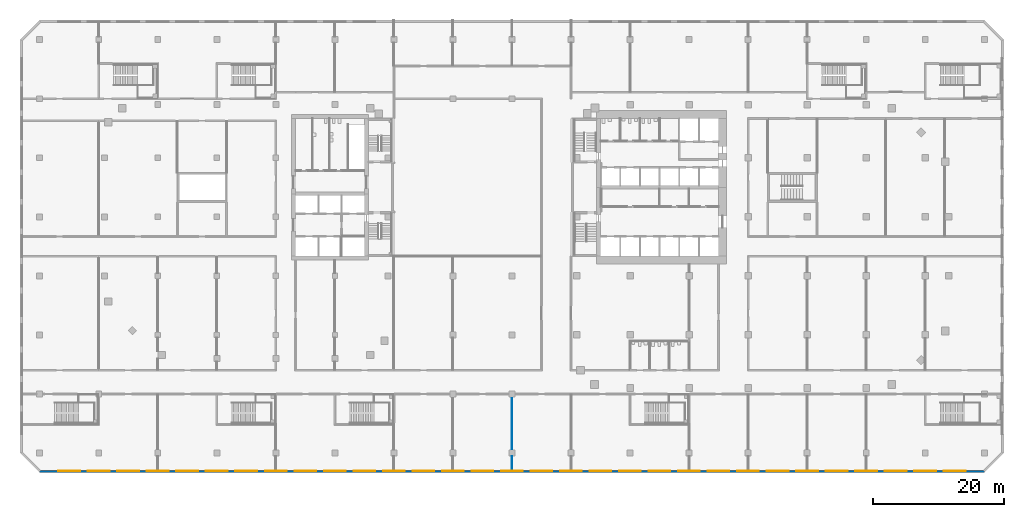
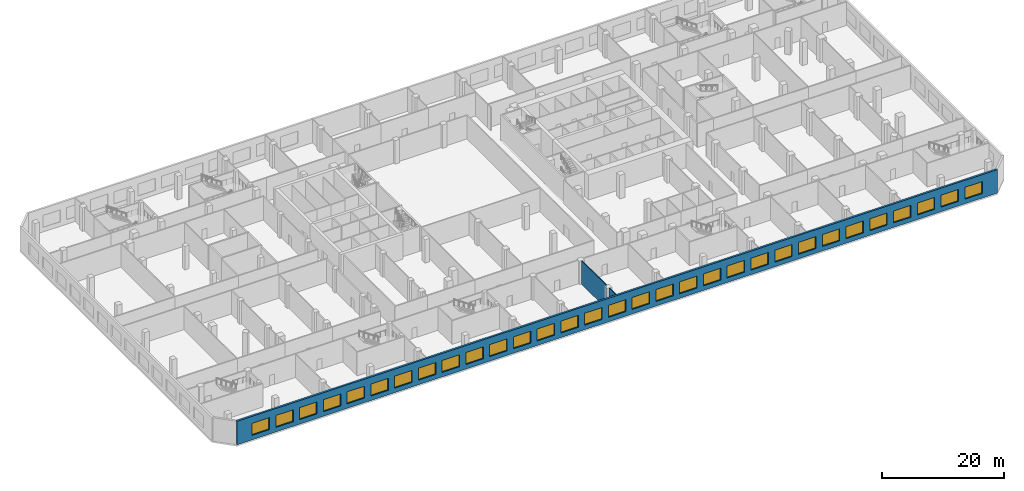
# One storey, part 8 of 21: 31 windows, 3 walls, 31 openings.
"""IFC4 building model written with IfcOpenShell, lengths in metres."""

from ifc_helpers import new_model, si_unit, direction, frame, frame_2d, origin, place, context, subcontext, project, spatial, rectangle, extrude, material, layer, layer_set, type_object, element, fill, save


model = new_model("IFC4")

# Units and contexts
model_context = context("Model", 3, precision=1e-05, world=origin(), true_north=direction((0.0, 1.0)))
body_context = subcontext(model_context, "Body", "Model", "MODEL_VIEW")
ifc_project = project(units=[si_unit("LENGTHUNIT", "METRE"), si_unit("AREAUNIT", "SQUARE_METRE"), si_unit("VOLUMEUNIT", "CUBIC_METRE"), si_unit("PLANEANGLEUNIT", "RADIAN"), si_unit("MASSUNIT", "GRAM", prefix="KILO")], contexts=[model_context])

# Site, building, storey
site_placement = place(None, origin())
site = spatial("IfcSite", under=ifc_project, at=site_placement, CompositionType="ELEMENT")
building_placement = place(site_placement, origin())
building = spatial("IfcBuilding", under=site, at=building_placement, Name="Cinnabar Reach Civic Tower", CompositionType="ELEMENT")
storey_placement = place(building_placement, frame((0.0, 0.0, 11.0)))
storey = spatial("IfcBuildingStorey", under=building, at=storey_placement, Name="L02", CompositionType="ELEMENT", Elevation=11.0)

# Wall, openings, windows
ifc_material_1 = material(Name="Facing brick with insulated backing", Category="masonry")
ifc_layer_1 = layer(ifc_material_1, 0.36)
ifc_layer_set_1 = layer_set([ifc_layer_1], Name="Brick pier and spandrel wall")
wall_type_1 = type_object("IfcWallType", Name="Brick pier and spandrel wall", PredefinedType="STANDARD", material=ifc_layer_set_1)
wall_1_placement = place(storey_placement, frame((-81.0, -11.82, 0.0), z_axis=(0.0, 0.0, 1.0), x_axis=(1.0, 0.0, 0.0)))
wall_1 = element("IfcWall", 1, at=wall_1_placement, inside=storey, type_object=wall_type_1, Name="Brick facade wall", PredefinedType="STANDARD", context=body_context, shape_type="SweptSolid", body=[
    extrude(rectangle(XDim=144.0, YDim=0.36, at=frame_2d((72.0, 0.0))), origin(), (0.0, 0.0, 1.0), 4.7),
])
opening_1_placement = place(wall_1_placement, frame((2.85, 0.0, 0.9)))
opening_1 = element("IfcOpeningElement", 2, at=opening_1_placement, cuts=wall_1, Name="Opening W2932", PredefinedType="OPENING", context=body_context, shape_type="SweptSolid", body=[
    extrude(rectangle(XDim=3.3, YDim=2.4, at=frame_2d((1.65, 1.2))), frame((0.0, 0.19, 0.0), z_axis=(0.0, -1.0, 0.0), x_axis=(1.0, 0.0, 0.0)), (0.0, 0.0, 1.0), 0.38),
])
opening_2_placement = place(wall_1_placement, frame((7.35, 0.0, 0.9)))
opening_2 = element("IfcOpeningElement", 3, at=opening_2_placement, cuts=wall_1, Name="Opening W2933", PredefinedType="OPENING", context=body_context, shape_type="SweptSolid", body=[
    extrude(rectangle(XDim=3.3, YDim=2.4, at=frame_2d((1.65, 1.2))), frame((0.0, 0.19, 0.0), z_axis=(0.0, -1.0, 0.0), x_axis=(1.0, 0.0, 0.0)), (0.0, 0.0, 1.0), 0.38),
])
opening_3_placement = place(wall_1_placement, frame((11.85, 0.0, 0.9)))
opening_3 = element("IfcOpeningElement", 4, at=opening_3_placement, cuts=wall_1, Name="Opening W2934", PredefinedType="OPENING", context=body_context, shape_type="SweptSolid", body=[
    extrude(rectangle(XDim=3.3, YDim=2.4, at=frame_2d((1.65, 1.2))), frame((0.0, 0.19, 0.0), z_axis=(0.0, -1.0, 0.0), x_axis=(1.0, 0.0, 0.0)), (0.0, 0.0, 1.0), 0.38),
])
opening_4_placement = place(wall_1_placement, frame((16.35, 0.0, 0.9)))
opening_4 = element("IfcOpeningElement", 5, at=opening_4_placement, cuts=wall_1, Name="Opening W2935", PredefinedType="OPENING", context=body_context, shape_type="SweptSolid", body=[
    extrude(rectangle(XDim=3.3, YDim=2.4, at=frame_2d((1.65, 1.2))), frame((0.0, 0.19, 0.0), z_axis=(0.0, -1.0, 0.0), x_axis=(1.0, 0.0, 0.0)), (0.0, 0.0, 1.0), 0.38),
])
opening_5_placement = place(wall_1_placement, frame((20.85, 0.0, 0.9)))
opening_5 = element("IfcOpeningElement", 6, at=opening_5_placement, cuts=wall_1, Name="Opening W2936", PredefinedType="OPENING", context=body_context, shape_type="SweptSolid", body=[
    extrude(rectangle(XDim=3.3, YDim=2.4, at=frame_2d((1.65, 1.2))), frame((0.0, 0.19, 0.0), z_axis=(0.0, -1.0, 0.0), x_axis=(1.0, 0.0, 0.0)), (0.0, 0.0, 1.0), 0.38),
])
opening_6_placement = place(wall_1_placement, frame((25.35, 0.0, 0.9)))
opening_6 = element("IfcOpeningElement", 7, at=opening_6_placement, cuts=wall_1, Name="Opening W2937", PredefinedType="OPENING", context=body_context, shape_type="SweptSolid", body=[
    extrude(rectangle(XDim=3.3, YDim=2.4, at=frame_2d((1.65, 1.2))), frame((0.0, 0.19, 0.0), z_axis=(0.0, -1.0, 0.0), x_axis=(1.0, 0.0, 0.0)), (0.0, 0.0, 1.0), 0.38),
])
opening_7_placement = place(wall_1_placement, frame((29.85, 0.0, 0.9)))
opening_7 = element("IfcOpeningElement", 8, at=opening_7_placement, cuts=wall_1, Name="Opening W2938", PredefinedType="OPENING", context=body_context, shape_type="SweptSolid", body=[
    extrude(rectangle(XDim=3.3, YDim=2.4, at=frame_2d((1.65, 1.2))), frame((0.0, 0.19, 0.0), z_axis=(0.0, -1.0, 0.0), x_axis=(1.0, 0.0, 0.0)), (0.0, 0.0, 1.0), 0.38),
])
opening_8_placement = place(wall_1_placement, frame((34.35, 0.0, 0.9)))
opening_8 = element("IfcOpeningElement", 9, at=opening_8_placement, cuts=wall_1, Name="Opening W2939", PredefinedType="OPENING", context=body_context, shape_type="SweptSolid", body=[
    extrude(rectangle(XDim=3.3, YDim=2.4, at=frame_2d((1.65, 1.2))), frame((0.0, 0.19, 0.0), z_axis=(0.0, -1.0, 0.0), x_axis=(1.0, 0.0, 0.0)), (0.0, 0.0, 1.0), 0.38),
])
opening_9_placement = place(wall_1_placement, frame((38.85, 0.0, 0.9)))
opening_9 = element("IfcOpeningElement", 10, at=opening_9_placement, cuts=wall_1, Name="Opening W2940", PredefinedType="OPENING", context=body_context, shape_type="SweptSolid", body=[
    extrude(rectangle(XDim=3.3, YDim=2.4, at=frame_2d((1.65, 1.2))), frame((0.0, 0.19, 0.0), z_axis=(0.0, -1.0, 0.0), x_axis=(1.0, 0.0, 0.0)), (0.0, 0.0, 1.0), 0.38),
])
opening_10_placement = place(wall_1_placement, frame((43.35, 0.0, 0.9)))
opening_10 = element("IfcOpeningElement", 11, at=opening_10_placement, cuts=wall_1, Name="Opening W2941", PredefinedType="OPENING", context=body_context, shape_type="SweptSolid", body=[
    extrude(rectangle(XDim=3.3, YDim=2.4, at=frame_2d((1.65, 1.2))), frame((0.0, 0.19, 0.0), z_axis=(0.0, -1.0, 0.0), x_axis=(1.0, 0.0, 0.0)), (0.0, 0.0, 1.0), 0.38),
])
opening_11_placement = place(wall_1_placement, frame((47.85, 0.0, 0.9)))
opening_11 = element("IfcOpeningElement", 12, at=opening_11_placement, cuts=wall_1, Name="Opening W2942", PredefinedType="OPENING", context=body_context, shape_type="SweptSolid", body=[
    extrude(rectangle(XDim=3.3, YDim=2.4, at=frame_2d((1.65, 1.2))), frame((0.0, 0.19, 0.0), z_axis=(0.0, -1.0, 0.0), x_axis=(1.0, 0.0, 0.0)), (0.0, 0.0, 1.0), 0.38),
])
opening_12_placement = place(wall_1_placement, frame((52.35, 0.0, 0.9)))
opening_12 = element("IfcOpeningElement", 13, at=opening_12_placement, cuts=wall_1, Name="Opening W2943", PredefinedType="OPENING", context=body_context, shape_type="SweptSolid", body=[
    extrude(rectangle(XDim=3.3, YDim=2.4, at=frame_2d((1.65, 1.2))), frame((0.0, 0.19, 0.0), z_axis=(0.0, -1.0, 0.0), x_axis=(1.0, 0.0, 0.0)), (0.0, 0.0, 1.0), 0.38),
])
opening_13_placement = place(wall_1_placement, frame((56.85, 0.0, 0.9)))
opening_13 = element("IfcOpeningElement", 14, at=opening_13_placement, cuts=wall_1, Name="Opening W2944", PredefinedType="OPENING", context=body_context, shape_type="SweptSolid", body=[
    extrude(rectangle(XDim=3.3, YDim=2.4, at=frame_2d((1.65, 1.2))), frame((0.0, 0.19, 0.0), z_axis=(0.0, -1.0, 0.0), x_axis=(1.0, 0.0, 0.0)), (0.0, 0.0, 1.0), 0.38),
])
opening_14_placement = place(wall_1_placement, frame((61.35, 0.0, 0.9)))
opening_14 = element("IfcOpeningElement", 15, at=opening_14_placement, cuts=wall_1, Name="Opening W2945", PredefinedType="OPENING", context=body_context, shape_type="SweptSolid", body=[
    extrude(rectangle(XDim=3.3, YDim=2.4, at=frame_2d((1.65, 1.2))), frame((0.0, 0.19, 0.0), z_axis=(0.0, -1.0, 0.0), x_axis=(1.0, 0.0, 0.0)), (0.0, 0.0, 1.0), 0.38),
])
opening_15_placement = place(wall_1_placement, frame((65.85, 0.0, 0.9)))
opening_15 = element("IfcOpeningElement", 16, at=opening_15_placement, cuts=wall_1, Name="Opening W2946", PredefinedType="OPENING", context=body_context, shape_type="SweptSolid", body=[
    extrude(rectangle(XDim=3.3, YDim=2.4, at=frame_2d((1.65, 1.2))), frame((0.0, 0.19, 0.0), z_axis=(0.0, -1.0, 0.0), x_axis=(1.0, 0.0, 0.0)), (0.0, 0.0, 1.0), 0.38),
])
opening_16_placement = place(wall_1_placement, frame((70.35, 0.0, 0.9)))
opening_16 = element("IfcOpeningElement", 17, at=opening_16_placement, cuts=wall_1, Name="Opening W2947", PredefinedType="OPENING", context=body_context, shape_type="SweptSolid", body=[
    extrude(rectangle(XDim=3.3, YDim=2.4, at=frame_2d((1.65, 1.2))), frame((0.0, 0.19, 0.0), z_axis=(0.0, -1.0, 0.0), x_axis=(1.0, 0.0, 0.0)), (0.0, 0.0, 1.0), 0.38),
])
opening_17_placement = place(wall_1_placement, frame((74.85, 0.0, 0.9)))
opening_17 = element("IfcOpeningElement", 18, at=opening_17_placement, cuts=wall_1, Name="Opening W2948", PredefinedType="OPENING", context=body_context, shape_type="SweptSolid", body=[
    extrude(rectangle(XDim=3.3, YDim=2.4, at=frame_2d((1.65, 1.2))), frame((0.0, 0.19, 0.0), z_axis=(0.0, -1.0, 0.0), x_axis=(1.0, 0.0, 0.0)), (0.0, 0.0, 1.0), 0.38),
])
opening_18_placement = place(wall_1_placement, frame((79.35, 0.0, 0.9)))
opening_18 = element("IfcOpeningElement", 19, at=opening_18_placement, cuts=wall_1, Name="Opening W2949", PredefinedType="OPENING", context=body_context, shape_type="SweptSolid", body=[
    extrude(rectangle(XDim=3.3, YDim=2.4, at=frame_2d((1.65, 1.2))), frame((0.0, 0.19, 0.0), z_axis=(0.0, -1.0, 0.0), x_axis=(1.0, 0.0, 0.0)), (0.0, 0.0, 1.0), 0.38),
])
opening_19_placement = place(wall_1_placement, frame((83.85, 0.0, 0.9)))
opening_19 = element("IfcOpeningElement", 20, at=opening_19_placement, cuts=wall_1, Name="Opening W2950", PredefinedType="OPENING", context=body_context, shape_type="SweptSolid", body=[
    extrude(rectangle(XDim=3.3, YDim=2.4, at=frame_2d((1.65, 1.2))), frame((0.0, 0.19, 0.0), z_axis=(0.0, -1.0, 0.0), x_axis=(1.0, 0.0, 0.0)), (0.0, 0.0, 1.0), 0.38),
])
opening_20_placement = place(wall_1_placement, frame((88.35, 0.0, 0.9)))
opening_20 = element("IfcOpeningElement", 21, at=opening_20_placement, cuts=wall_1, Name="Opening W2951", PredefinedType="OPENING", context=body_context, shape_type="SweptSolid", body=[
    extrude(rectangle(XDim=3.3, YDim=2.4, at=frame_2d((1.65, 1.2))), frame((0.0, 0.19, 0.0), z_axis=(0.0, -1.0, 0.0), x_axis=(1.0, 0.0, 0.0)), (0.0, 0.0, 1.0), 0.38),
])
opening_21_placement = place(wall_1_placement, frame((92.85, 0.0, 0.9)))
opening_21 = element("IfcOpeningElement", 22, at=opening_21_placement, cuts=wall_1, Name="Opening W2952", PredefinedType="OPENING", context=body_context, shape_type="SweptSolid", body=[
    extrude(rectangle(XDim=3.3, YDim=2.4, at=frame_2d((1.65, 1.2))), frame((0.0, 0.19, 0.0), z_axis=(0.0, -1.0, 0.0), x_axis=(1.0, 0.0, 0.0)), (0.0, 0.0, 1.0), 0.38),
])
opening_22_placement = place(wall_1_placement, frame((97.35, 0.0, 0.9)))
opening_22 = element("IfcOpeningElement", 23, at=opening_22_placement, cuts=wall_1, Name="Opening W2953", PredefinedType="OPENING", context=body_context, shape_type="SweptSolid", body=[
    extrude(rectangle(XDim=3.3, YDim=2.4, at=frame_2d((1.65, 1.2))), frame((0.0, 0.19, 0.0), z_axis=(0.0, -1.0, 0.0), x_axis=(1.0, 0.0, 0.0)), (0.0, 0.0, 1.0), 0.38),
])
opening_23_placement = place(wall_1_placement, frame((101.85, 0.0, 0.9)))
opening_23 = element("IfcOpeningElement", 24, at=opening_23_placement, cuts=wall_1, Name="Opening W2954", PredefinedType="OPENING", context=body_context, shape_type="SweptSolid", body=[
    extrude(rectangle(XDim=3.3, YDim=2.4, at=frame_2d((1.65, 1.2))), frame((0.0, 0.19, 0.0), z_axis=(0.0, -1.0, 0.0), x_axis=(1.0, 0.0, 0.0)), (0.0, 0.0, 1.0), 0.38),
])
opening_24_placement = place(wall_1_placement, frame((106.35, 0.0, 0.9)))
opening_24 = element("IfcOpeningElement", 25, at=opening_24_placement, cuts=wall_1, Name="Opening W2955", PredefinedType="OPENING", context=body_context, shape_type="SweptSolid", body=[
    extrude(rectangle(XDim=3.3, YDim=2.4, at=frame_2d((1.65, 1.2))), frame((0.0, 0.19, 0.0), z_axis=(0.0, -1.0, 0.0), x_axis=(1.0, 0.0, 0.0)), (0.0, 0.0, 1.0), 0.38),
])
opening_25_placement = place(wall_1_placement, frame((110.85, 0.0, 0.9)))
opening_25 = element("IfcOpeningElement", 26, at=opening_25_placement, cuts=wall_1, Name="Opening W2956", PredefinedType="OPENING", context=body_context, shape_type="SweptSolid", body=[
    extrude(rectangle(XDim=3.3, YDim=2.4, at=frame_2d((1.65, 1.2))), frame((0.0, 0.19, 0.0), z_axis=(0.0, -1.0, 0.0), x_axis=(1.0, 0.0, 0.0)), (0.0, 0.0, 1.0), 0.38),
])
opening_26_placement = place(wall_1_placement, frame((115.35, 0.0, 0.9)))
opening_26 = element("IfcOpeningElement", 27, at=opening_26_placement, cuts=wall_1, Name="Opening W2957", PredefinedType="OPENING", context=body_context, shape_type="SweptSolid", body=[
    extrude(rectangle(XDim=3.3, YDim=2.4, at=frame_2d((1.65, 1.2))), frame((0.0, 0.19, 0.0), z_axis=(0.0, -1.0, 0.0), x_axis=(1.0, 0.0, 0.0)), (0.0, 0.0, 1.0), 0.38),
])
opening_27_placement = place(wall_1_placement, frame((119.85, 0.0, 0.9)))
opening_27 = element("IfcOpeningElement", 28, at=opening_27_placement, cuts=wall_1, Name="Opening W2958", PredefinedType="OPENING", context=body_context, shape_type="SweptSolid", body=[
    extrude(rectangle(XDim=3.3, YDim=2.4, at=frame_2d((1.65, 1.2))), frame((0.0, 0.19, 0.0), z_axis=(0.0, -1.0, 0.0), x_axis=(1.0, 0.0, 0.0)), (0.0, 0.0, 1.0), 0.38),
])
opening_28_placement = place(wall_1_placement, frame((124.35, 0.0, 0.9)))
opening_28 = element("IfcOpeningElement", 29, at=opening_28_placement, cuts=wall_1, Name="Opening W2959", PredefinedType="OPENING", context=body_context, shape_type="SweptSolid", body=[
    extrude(rectangle(XDim=3.3, YDim=2.4, at=frame_2d((1.65, 1.2))), frame((0.0, 0.19, 0.0), z_axis=(0.0, -1.0, 0.0), x_axis=(1.0, 0.0, 0.0)), (0.0, 0.0, 1.0), 0.38),
])
opening_29_placement = place(wall_1_placement, frame((128.85, 0.0, 0.9)))
opening_29 = element("IfcOpeningElement", 30, at=opening_29_placement, cuts=wall_1, Name="Opening W2960", PredefinedType="OPENING", context=body_context, shape_type="SweptSolid", body=[
    extrude(rectangle(XDim=3.3, YDim=2.4, at=frame_2d((1.65, 1.2))), frame((0.0, 0.19, 0.0), z_axis=(0.0, -1.0, 0.0), x_axis=(1.0, 0.0, 0.0)), (0.0, 0.0, 1.0), 0.38),
])
opening_30_placement = place(wall_1_placement, frame((133.35, 0.0, 0.9)))
opening_30 = element("IfcOpeningElement", 31, at=opening_30_placement, cuts=wall_1, Name="Opening W2961", PredefinedType="OPENING", context=body_context, shape_type="SweptSolid", body=[
    extrude(rectangle(XDim=3.3, YDim=2.4, at=frame_2d((1.65, 1.2))), frame((0.0, 0.19, 0.0), z_axis=(0.0, -1.0, 0.0), x_axis=(1.0, 0.0, 0.0)), (0.0, 0.0, 1.0), 0.38),
])
opening_31_placement = place(wall_1_placement, frame((137.85, 0.0, 0.9)))
opening_31 = element("IfcOpeningElement", 32, at=opening_31_placement, cuts=wall_1, Name="Opening W2962", PredefinedType="OPENING", context=body_context, shape_type="SweptSolid", body=[
    extrude(rectangle(XDim=3.3, YDim=2.4, at=frame_2d((1.65, 1.2))), frame((0.0, 0.19, 0.0), z_axis=(0.0, -1.0, 0.0), x_axis=(1.0, 0.0, 0.0)), (0.0, 0.0, 1.0), 0.38),
])
ifc_material_2 = material(Name="Clear double glazing in aluminium frame", Category="aluminium")
window_type = type_object("IfcWindowType", Name="Podium window P", PartitioningType="SINGLE_PANEL", PredefinedType="WINDOW", material=ifc_material_2)
window_1_placement = place(opening_1_placement, origin())
window_1 = element("IfcWindow", 33, at=window_1_placement, inside=storey, type_object=window_type, Name="Window south face", OverallHeight=2.4, OverallWidth=3.3, PartitioningType="SINGLE_PANEL", PredefinedType="WINDOW", context=body_context, shape_type="SweptSolid", body=[
    extrude(rectangle(XDim=3.3, YDim=2.4, at=frame_2d((1.65, 1.2))), frame((0.0, 0.13, 0.0), z_axis=(0.0, -1.0, 0.0), x_axis=(1.0, 0.0, 0.0)), (0.0, 0.0, 1.0), 0.06),
])
fill(opening_1, window_1)
window_2_placement = place(opening_2_placement, origin())
window_2 = element("IfcWindow", 34, at=window_2_placement, inside=storey, type_object=window_type, Name="Window south face", OverallHeight=2.4, OverallWidth=3.3, PartitioningType="SINGLE_PANEL", PredefinedType="WINDOW", context=body_context, shape_type="SweptSolid", body=[
    extrude(rectangle(XDim=3.3, YDim=2.4, at=frame_2d((1.65, 1.2))), frame((0.0, 0.13, 0.0), z_axis=(0.0, -1.0, 0.0), x_axis=(1.0, 0.0, 0.0)), (0.0, 0.0, 1.0), 0.06),
])
fill(opening_2, window_2)
window_3_placement = place(opening_3_placement, origin())
window_3 = element("IfcWindow", 35, at=window_3_placement, inside=storey, type_object=window_type, Name="Window south face", OverallHeight=2.4, OverallWidth=3.3, PartitioningType="SINGLE_PANEL", PredefinedType="WINDOW", context=body_context, shape_type="SweptSolid", body=[
    extrude(rectangle(XDim=3.3, YDim=2.4, at=frame_2d((1.65, 1.2))), frame((0.0, 0.13, 0.0), z_axis=(0.0, -1.0, 0.0), x_axis=(1.0, 0.0, 0.0)), (0.0, 0.0, 1.0), 0.06),
])
fill(opening_3, window_3)
window_4_placement = place(opening_4_placement, origin())
window_4 = element("IfcWindow", 36, at=window_4_placement, inside=storey, type_object=window_type, Name="Window south face", OverallHeight=2.4, OverallWidth=3.3, PartitioningType="SINGLE_PANEL", PredefinedType="WINDOW", context=body_context, shape_type="SweptSolid", body=[
    extrude(rectangle(XDim=3.3, YDim=2.4, at=frame_2d((1.65, 1.2))), frame((0.0, 0.13, 0.0), z_axis=(0.0, -1.0, 0.0), x_axis=(1.0, 0.0, 0.0)), (0.0, 0.0, 1.0), 0.06),
])
fill(opening_4, window_4)
window_5_placement = place(opening_5_placement, origin())
window_5 = element("IfcWindow", 37, at=window_5_placement, inside=storey, type_object=window_type, Name="Window south face", OverallHeight=2.4, OverallWidth=3.3, PartitioningType="SINGLE_PANEL", PredefinedType="WINDOW", context=body_context, shape_type="SweptSolid", body=[
    extrude(rectangle(XDim=3.3, YDim=2.4, at=frame_2d((1.65, 1.2))), frame((0.0, 0.13, 0.0), z_axis=(0.0, -1.0, 0.0), x_axis=(1.0, 0.0, 0.0)), (0.0, 0.0, 1.0), 0.06),
])
fill(opening_5, window_5)
window_6_placement = place(opening_6_placement, origin())
window_6 = element("IfcWindow", 38, at=window_6_placement, inside=storey, type_object=window_type, Name="Window south face", OverallHeight=2.4, OverallWidth=3.3, PartitioningType="SINGLE_PANEL", PredefinedType="WINDOW", context=body_context, shape_type="SweptSolid", body=[
    extrude(rectangle(XDim=3.3, YDim=2.4, at=frame_2d((1.65, 1.2))), frame((0.0, 0.13, 0.0), z_axis=(0.0, -1.0, 0.0), x_axis=(1.0, 0.0, 0.0)), (0.0, 0.0, 1.0), 0.06),
])
fill(opening_6, window_6)
window_7_placement = place(opening_7_placement, origin())
window_7 = element("IfcWindow", 39, at=window_7_placement, inside=storey, type_object=window_type, Name="Window south face", OverallHeight=2.4, OverallWidth=3.3, PartitioningType="SINGLE_PANEL", PredefinedType="WINDOW", context=body_context, shape_type="SweptSolid", body=[
    extrude(rectangle(XDim=3.3, YDim=2.4, at=frame_2d((1.65, 1.2))), frame((0.0, 0.13, 0.0), z_axis=(0.0, -1.0, 0.0), x_axis=(1.0, 0.0, 0.0)), (0.0, 0.0, 1.0), 0.06),
])
fill(opening_7, window_7)
window_8_placement = place(opening_8_placement, origin())
window_8 = element("IfcWindow", 40, at=window_8_placement, inside=storey, type_object=window_type, Name="Window south face", OverallHeight=2.4, OverallWidth=3.3, PartitioningType="SINGLE_PANEL", PredefinedType="WINDOW", context=body_context, shape_type="SweptSolid", body=[
    extrude(rectangle(XDim=3.3, YDim=2.4, at=frame_2d((1.65, 1.2))), frame((0.0, 0.13, 0.0), z_axis=(0.0, -1.0, 0.0), x_axis=(1.0, 0.0, 0.0)), (0.0, 0.0, 1.0), 0.06),
])
fill(opening_8, window_8)
window_9_placement = place(opening_9_placement, origin())
window_9 = element("IfcWindow", 41, at=window_9_placement, inside=storey, type_object=window_type, Name="Window south face", OverallHeight=2.4, OverallWidth=3.3, PartitioningType="SINGLE_PANEL", PredefinedType="WINDOW", context=body_context, shape_type="SweptSolid", body=[
    extrude(rectangle(XDim=3.3, YDim=2.4, at=frame_2d((1.65, 1.2))), frame((0.0, 0.13, 0.0), z_axis=(0.0, -1.0, 0.0), x_axis=(1.0, 0.0, 0.0)), (0.0, 0.0, 1.0), 0.06),
])
fill(opening_9, window_9)
window_10_placement = place(opening_10_placement, origin())
window_10 = element("IfcWindow", 42, at=window_10_placement, inside=storey, type_object=window_type, Name="Window south face", OverallHeight=2.4, OverallWidth=3.3, PartitioningType="SINGLE_PANEL", PredefinedType="WINDOW", context=body_context, shape_type="SweptSolid", body=[
    extrude(rectangle(XDim=3.3, YDim=2.4, at=frame_2d((1.65, 1.2))), frame((0.0, 0.13, 0.0), z_axis=(0.0, -1.0, 0.0), x_axis=(1.0, 0.0, 0.0)), (0.0, 0.0, 1.0), 0.06),
])
fill(opening_10, window_10)
window_11_placement = place(opening_11_placement, origin())
window_11 = element("IfcWindow", 43, at=window_11_placement, inside=storey, type_object=window_type, Name="Window south face", OverallHeight=2.4, OverallWidth=3.3, PartitioningType="SINGLE_PANEL", PredefinedType="WINDOW", context=body_context, shape_type="SweptSolid", body=[
    extrude(rectangle(XDim=3.3, YDim=2.4, at=frame_2d((1.65, 1.2))), frame((0.0, 0.13, 0.0), z_axis=(0.0, -1.0, 0.0), x_axis=(1.0, 0.0, 0.0)), (0.0, 0.0, 1.0), 0.06),
])
fill(opening_11, window_11)
window_12_placement = place(opening_12_placement, origin())
window_12 = element("IfcWindow", 44, at=window_12_placement, inside=storey, type_object=window_type, Name="Window south face", OverallHeight=2.4, OverallWidth=3.3, PartitioningType="SINGLE_PANEL", PredefinedType="WINDOW", context=body_context, shape_type="SweptSolid", body=[
    extrude(rectangle(XDim=3.3, YDim=2.4, at=frame_2d((1.65, 1.2))), frame((0.0, 0.13, 0.0), z_axis=(0.0, -1.0, 0.0), x_axis=(1.0, 0.0, 0.0)), (0.0, 0.0, 1.0), 0.06),
])
fill(opening_12, window_12)
window_13_placement = place(opening_13_placement, origin())
window_13 = element("IfcWindow", 45, at=window_13_placement, inside=storey, type_object=window_type, Name="Window south face", OverallHeight=2.4, OverallWidth=3.3, PartitioningType="SINGLE_PANEL", PredefinedType="WINDOW", context=body_context, shape_type="SweptSolid", body=[
    extrude(rectangle(XDim=3.3, YDim=2.4, at=frame_2d((1.65, 1.2))), frame((0.0, 0.13, 0.0), z_axis=(0.0, -1.0, 0.0), x_axis=(1.0, 0.0, 0.0)), (0.0, 0.0, 1.0), 0.06),
])
fill(opening_13, window_13)
window_14_placement = place(opening_14_placement, origin())
window_14 = element("IfcWindow", 46, at=window_14_placement, inside=storey, type_object=window_type, Name="Window south face", OverallHeight=2.4, OverallWidth=3.3, PartitioningType="SINGLE_PANEL", PredefinedType="WINDOW", context=body_context, shape_type="SweptSolid", body=[
    extrude(rectangle(XDim=3.3, YDim=2.4, at=frame_2d((1.65, 1.2))), frame((0.0, 0.13, 0.0), z_axis=(0.0, -1.0, 0.0), x_axis=(1.0, 0.0, 0.0)), (0.0, 0.0, 1.0), 0.06),
])
fill(opening_14, window_14)
window_15_placement = place(opening_15_placement, origin())
window_15 = element("IfcWindow", 47, at=window_15_placement, inside=storey, type_object=window_type, Name="Window south face", OverallHeight=2.4, OverallWidth=3.3, PartitioningType="SINGLE_PANEL", PredefinedType="WINDOW", context=body_context, shape_type="SweptSolid", body=[
    extrude(rectangle(XDim=3.3, YDim=2.4, at=frame_2d((1.65, 1.2))), frame((0.0, 0.13, 0.0), z_axis=(0.0, -1.0, 0.0), x_axis=(1.0, 0.0, 0.0)), (0.0, 0.0, 1.0), 0.06),
])
fill(opening_15, window_15)
window_16_placement = place(opening_16_placement, origin())
window_16 = element("IfcWindow", 48, at=window_16_placement, inside=storey, type_object=window_type, Name="Window south face", OverallHeight=2.4, OverallWidth=3.3, PartitioningType="SINGLE_PANEL", PredefinedType="WINDOW", context=body_context, shape_type="SweptSolid", body=[
    extrude(rectangle(XDim=3.3, YDim=2.4, at=frame_2d((1.65, 1.2))), frame((0.0, 0.13, 0.0), z_axis=(0.0, -1.0, 0.0), x_axis=(1.0, 0.0, 0.0)), (0.0, 0.0, 1.0), 0.06),
])
fill(opening_16, window_16)
window_17_placement = place(opening_17_placement, origin())
window_17 = element("IfcWindow", 49, at=window_17_placement, inside=storey, type_object=window_type, Name="Window south face", OverallHeight=2.4, OverallWidth=3.3, PartitioningType="SINGLE_PANEL", PredefinedType="WINDOW", context=body_context, shape_type="SweptSolid", body=[
    extrude(rectangle(XDim=3.3, YDim=2.4, at=frame_2d((1.65, 1.2))), frame((0.0, 0.13, 0.0), z_axis=(0.0, -1.0, 0.0), x_axis=(1.0, 0.0, 0.0)), (0.0, 0.0, 1.0), 0.06),
])
fill(opening_17, window_17)
window_18_placement = place(opening_18_placement, origin())
window_18 = element("IfcWindow", 50, at=window_18_placement, inside=storey, type_object=window_type, Name="Window south face", OverallHeight=2.4, OverallWidth=3.3, PartitioningType="SINGLE_PANEL", PredefinedType="WINDOW", context=body_context, shape_type="SweptSolid", body=[
    extrude(rectangle(XDim=3.3, YDim=2.4, at=frame_2d((1.65, 1.2))), frame((0.0, 0.13, 0.0), z_axis=(0.0, -1.0, 0.0), x_axis=(1.0, 0.0, 0.0)), (0.0, 0.0, 1.0), 0.06),
])
fill(opening_18, window_18)
window_19_placement = place(opening_19_placement, origin())
window_19 = element("IfcWindow", 51, at=window_19_placement, inside=storey, type_object=window_type, Name="Window south face", OverallHeight=2.4, OverallWidth=3.3, PartitioningType="SINGLE_PANEL", PredefinedType="WINDOW", context=body_context, shape_type="SweptSolid", body=[
    extrude(rectangle(XDim=3.3, YDim=2.4, at=frame_2d((1.65, 1.2))), frame((0.0, 0.13, 0.0), z_axis=(0.0, -1.0, 0.0), x_axis=(1.0, 0.0, 0.0)), (0.0, 0.0, 1.0), 0.06),
])
fill(opening_19, window_19)
window_20_placement = place(opening_20_placement, origin())
window_20 = element("IfcWindow", 52, at=window_20_placement, inside=storey, type_object=window_type, Name="Window south face", OverallHeight=2.4, OverallWidth=3.3, PartitioningType="SINGLE_PANEL", PredefinedType="WINDOW", context=body_context, shape_type="SweptSolid", body=[
    extrude(rectangle(XDim=3.3, YDim=2.4, at=frame_2d((1.65, 1.2))), frame((0.0, 0.13, 0.0), z_axis=(0.0, -1.0, 0.0), x_axis=(1.0, 0.0, 0.0)), (0.0, 0.0, 1.0), 0.06),
])
fill(opening_20, window_20)
window_21_placement = place(opening_21_placement, origin())
window_21 = element("IfcWindow", 53, at=window_21_placement, inside=storey, type_object=window_type, Name="Window south face", OverallHeight=2.4, OverallWidth=3.3, PartitioningType="SINGLE_PANEL", PredefinedType="WINDOW", context=body_context, shape_type="SweptSolid", body=[
    extrude(rectangle(XDim=3.3, YDim=2.4, at=frame_2d((1.65, 1.2))), frame((0.0, 0.13, 0.0), z_axis=(0.0, -1.0, 0.0), x_axis=(1.0, 0.0, 0.0)), (0.0, 0.0, 1.0), 0.06),
])
fill(opening_21, window_21)
window_22_placement = place(opening_22_placement, origin())
window_22 = element("IfcWindow", 54, at=window_22_placement, inside=storey, type_object=window_type, Name="Window south face", OverallHeight=2.4, OverallWidth=3.3, PartitioningType="SINGLE_PANEL", PredefinedType="WINDOW", context=body_context, shape_type="SweptSolid", body=[
    extrude(rectangle(XDim=3.3, YDim=2.4, at=frame_2d((1.65, 1.2))), frame((0.0, 0.13, 0.0), z_axis=(0.0, -1.0, 0.0), x_axis=(1.0, 0.0, 0.0)), (0.0, 0.0, 1.0), 0.06),
])
fill(opening_22, window_22)
window_23_placement = place(opening_23_placement, origin())
window_23 = element("IfcWindow", 55, at=window_23_placement, inside=storey, type_object=window_type, Name="Window south face", OverallHeight=2.4, OverallWidth=3.3, PartitioningType="SINGLE_PANEL", PredefinedType="WINDOW", context=body_context, shape_type="SweptSolid", body=[
    extrude(rectangle(XDim=3.3, YDim=2.4, at=frame_2d((1.65, 1.2))), frame((0.0, 0.13, 0.0), z_axis=(0.0, -1.0, 0.0), x_axis=(1.0, 0.0, 0.0)), (0.0, 0.0, 1.0), 0.06),
])
fill(opening_23, window_23)
window_24_placement = place(opening_24_placement, origin())
window_24 = element("IfcWindow", 56, at=window_24_placement, inside=storey, type_object=window_type, Name="Window south face", OverallHeight=2.4, OverallWidth=3.3, PartitioningType="SINGLE_PANEL", PredefinedType="WINDOW", context=body_context, shape_type="SweptSolid", body=[
    extrude(rectangle(XDim=3.3, YDim=2.4, at=frame_2d((1.65, 1.2))), frame((0.0, 0.13, 0.0), z_axis=(0.0, -1.0, 0.0), x_axis=(1.0, 0.0, 0.0)), (0.0, 0.0, 1.0), 0.06),
])
fill(opening_24, window_24)
window_25_placement = place(opening_25_placement, origin())
window_25 = element("IfcWindow", 57, at=window_25_placement, inside=storey, type_object=window_type, Name="Window south face", OverallHeight=2.4, OverallWidth=3.3, PartitioningType="SINGLE_PANEL", PredefinedType="WINDOW", context=body_context, shape_type="SweptSolid", body=[
    extrude(rectangle(XDim=3.3, YDim=2.4, at=frame_2d((1.65, 1.2))), frame((0.0, 0.13, 0.0), z_axis=(0.0, -1.0, 0.0), x_axis=(1.0, 0.0, 0.0)), (0.0, 0.0, 1.0), 0.06),
])
fill(opening_25, window_25)
window_26_placement = place(opening_26_placement, origin())
window_26 = element("IfcWindow", 58, at=window_26_placement, inside=storey, type_object=window_type, Name="Window south face", OverallHeight=2.4, OverallWidth=3.3, PartitioningType="SINGLE_PANEL", PredefinedType="WINDOW", context=body_context, shape_type="SweptSolid", body=[
    extrude(rectangle(XDim=3.3, YDim=2.4, at=frame_2d((1.65, 1.2))), frame((0.0, 0.13, 0.0), z_axis=(0.0, -1.0, 0.0), x_axis=(1.0, 0.0, 0.0)), (0.0, 0.0, 1.0), 0.06),
])
fill(opening_26, window_26)
window_27_placement = place(opening_27_placement, origin())
window_27 = element("IfcWindow", 59, at=window_27_placement, inside=storey, type_object=window_type, Name="Window south face", OverallHeight=2.4, OverallWidth=3.3, PartitioningType="SINGLE_PANEL", PredefinedType="WINDOW", context=body_context, shape_type="SweptSolid", body=[
    extrude(rectangle(XDim=3.3, YDim=2.4, at=frame_2d((1.65, 1.2))), frame((0.0, 0.13, 0.0), z_axis=(0.0, -1.0, 0.0), x_axis=(1.0, 0.0, 0.0)), (0.0, 0.0, 1.0), 0.06),
])
fill(opening_27, window_27)
window_28_placement = place(opening_28_placement, origin())
window_28 = element("IfcWindow", 60, at=window_28_placement, inside=storey, type_object=window_type, Name="Window south face", OverallHeight=2.4, OverallWidth=3.3, PartitioningType="SINGLE_PANEL", PredefinedType="WINDOW", context=body_context, shape_type="SweptSolid", body=[
    extrude(rectangle(XDim=3.3, YDim=2.4, at=frame_2d((1.65, 1.2))), frame((0.0, 0.13, 0.0), z_axis=(0.0, -1.0, 0.0), x_axis=(1.0, 0.0, 0.0)), (0.0, 0.0, 1.0), 0.06),
])
fill(opening_28, window_28)
window_29_placement = place(opening_29_placement, origin())
window_29 = element("IfcWindow", 61, at=window_29_placement, inside=storey, type_object=window_type, Name="Window south face", OverallHeight=2.4, OverallWidth=3.3, PartitioningType="SINGLE_PANEL", PredefinedType="WINDOW", context=body_context, shape_type="SweptSolid", body=[
    extrude(rectangle(XDim=3.3, YDim=2.4, at=frame_2d((1.65, 1.2))), frame((0.0, 0.13, 0.0), z_axis=(0.0, -1.0, 0.0), x_axis=(1.0, 0.0, 0.0)), (0.0, 0.0, 1.0), 0.06),
])
fill(opening_29, window_29)
window_30_placement = place(opening_30_placement, origin())
window_30 = element("IfcWindow", 62, at=window_30_placement, inside=storey, type_object=window_type, Name="Window south face", OverallHeight=2.4, OverallWidth=3.3, PartitioningType="SINGLE_PANEL", PredefinedType="WINDOW", context=body_context, shape_type="SweptSolid", body=[
    extrude(rectangle(XDim=3.3, YDim=2.4, at=frame_2d((1.65, 1.2))), frame((0.0, 0.13, 0.0), z_axis=(0.0, -1.0, 0.0), x_axis=(1.0, 0.0, 0.0)), (0.0, 0.0, 1.0), 0.06),
])
fill(opening_30, window_30)
window_31_placement = place(opening_31_placement, origin())
window_31 = element("IfcWindow", 63, at=window_31_placement, inside=storey, type_object=window_type, Name="Window south face", OverallHeight=2.4, OverallWidth=3.3, PartitioningType="SINGLE_PANEL", PredefinedType="WINDOW", context=body_context, shape_type="SweptSolid", body=[
    extrude(rectangle(XDim=3.3, YDim=2.4, at=frame_2d((1.65, 1.2))), frame((0.0, 0.13, 0.0), z_axis=(0.0, -1.0, 0.0), x_axis=(1.0, 0.0, 0.0)), (0.0, 0.0, 1.0), 0.06),
])
fill(opening_31, window_31)

# Walls
ifc_material_3 = material(Name="Gypsum board on steel studs", Category="steel")
ifc_layer_2 = layer(ifc_material_3, 0.15)
ifc_layer_set_2 = layer_set([ifc_layer_2], Name="Podium partition wall 150 EI 90")
wall_type_2 = type_object("IfcWallType", Name="Podium partition wall 150 EI 90", PredefinedType="PARTITIONING", material=ifc_layer_set_2)
wall_2_placement = place(storey_placement, frame((-9.0, -11.6, 0.0), z_axis=(0.0, 0.0, 1.0), x_axis=(0.0, 1.0, 0.0)))
element("IfcWall", 64, at=wall_2_placement, inside=storey, type_object=wall_type_2, Name="Wall L02 155", PredefinedType="PARTITIONING", context=body_context, shape_type="SweptSolid", body=[
    extrude(rectangle(XDim=2.13, YDim=0.15, at=frame_2d((1.065, 0.0))), origin(), (0.0, 0.0, 1.0), 4.7),
])
wall_3_placement = place(storey_placement, frame((-9.0, -8.53, 0.0), z_axis=(0.0, 0.0, 1.0), x_axis=(0.0, 1.0, 0.0)))
element("IfcWall", 65, at=wall_3_placement, inside=storey, type_object=wall_type_2, Name="Wall L02 156", PredefinedType="PARTITIONING", context=body_context, shape_type="SweptSolid", body=[
    extrude(rectangle(XDim=8.06, YDim=0.15, at=frame_2d((4.03, 0.0))), origin(), (0.0, 0.0, 1.0), 4.7),
])

save(model, "model.ifc")
